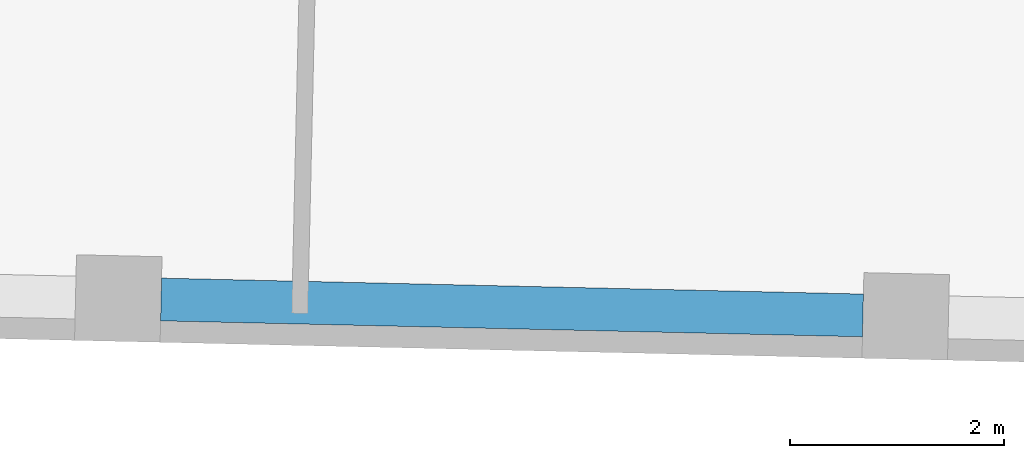
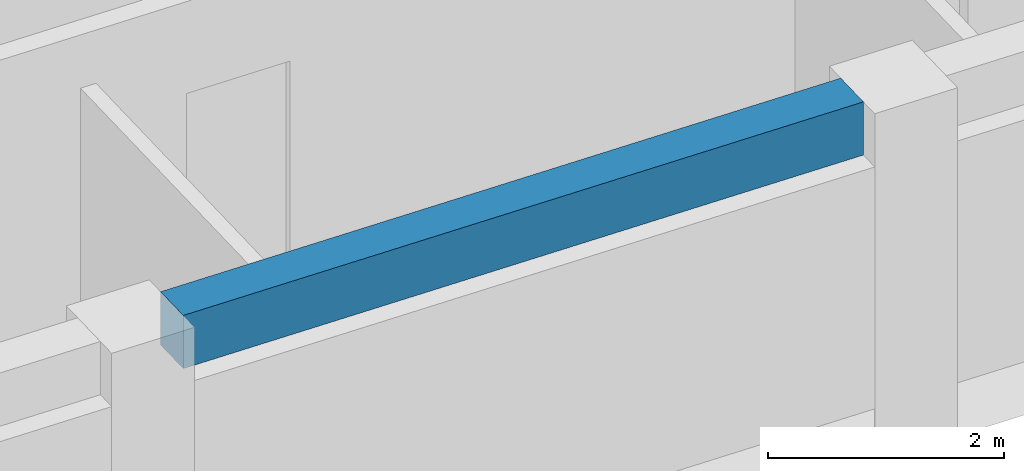
# One storey, part 3 of 12: 1 beam.
"""IFC4 building model written with IfcOpenShell, lengths in metres."""

from ifc_helpers import new_model, si_unit, direction, frame, origin, origin_2d, place, context, subcontext, project, spatial, rectangle, extrude, material, material_profile, profile_set, type_object, element, save


model = new_model("IFC4")

# Units and contexts
model_context = context("Model", 3, precision=1e-05, world=origin(), true_north=direction((0.0, 1.0)))
body_context = subcontext(model_context, "Body", "Model", "MODEL_VIEW")
ifc_project = project(units=[si_unit("LENGTHUNIT", "METRE"), si_unit("AREAUNIT", "SQUARE_METRE"), si_unit("VOLUMEUNIT", "CUBIC_METRE"), si_unit("PLANEANGLEUNIT", "RADIAN"), si_unit("MASSUNIT", "GRAM", prefix="KILO")], contexts=[model_context])

# Site, building, storey
site_placement = place(None, origin())
site = spatial("IfcSite", under=ifc_project, at=site_placement, CompositionType="ELEMENT")
building_placement = place(site_placement, origin())
building = spatial("IfcBuilding", under=site, at=building_placement, Name="Mangrove Gate Tower", CompositionType="ELEMENT")
storey_placement = place(building_placement, frame((0.0, 0.0, 342.5)))
storey = spatial("IfcBuildingStorey", under=building, at=storey_placement, Name="L87", CompositionType="ELEMENT", Elevation=342.5)

# Beam
ifc_material = material(Name="Concrete C50/60", Category="concrete")
ifc_material_profile = material_profile(ifc_material, rectangle(XDim=0.39990234375, YDim=0.550048828125, at=origin_2d()))
ifc_profile_set = profile_set([ifc_material_profile], Name="Concrete C50/60")
beam_type = type_object("IfcBeamType", Name="Edge beam RC 400x550 C50/60", PredefinedType="BEAM", material=ifc_profile_set)
beam_placement = place(storey_placement, frame((0.955078125, -18.01318359375, 2.77490234375), z_axis=(0.99974273698, -0.0226817075, 0.0), x_axis=(0.0226817075, 0.99974273698, 0.0)))
element("IfcBeam", 1, at=beam_placement, inside=storey, type_object=beam_type, Name="Edge beam L87 07", PredefinedType="BEAM", context=body_context, shape_type="SweptSolid", body=[
    extrude(rectangle(XDim=0.39990234375, YDim=0.550048828125, at=origin_2d()), origin(), (0.0, 0.0, 1.0), 6.56591796875),
])

save(model, "model.ifc")
